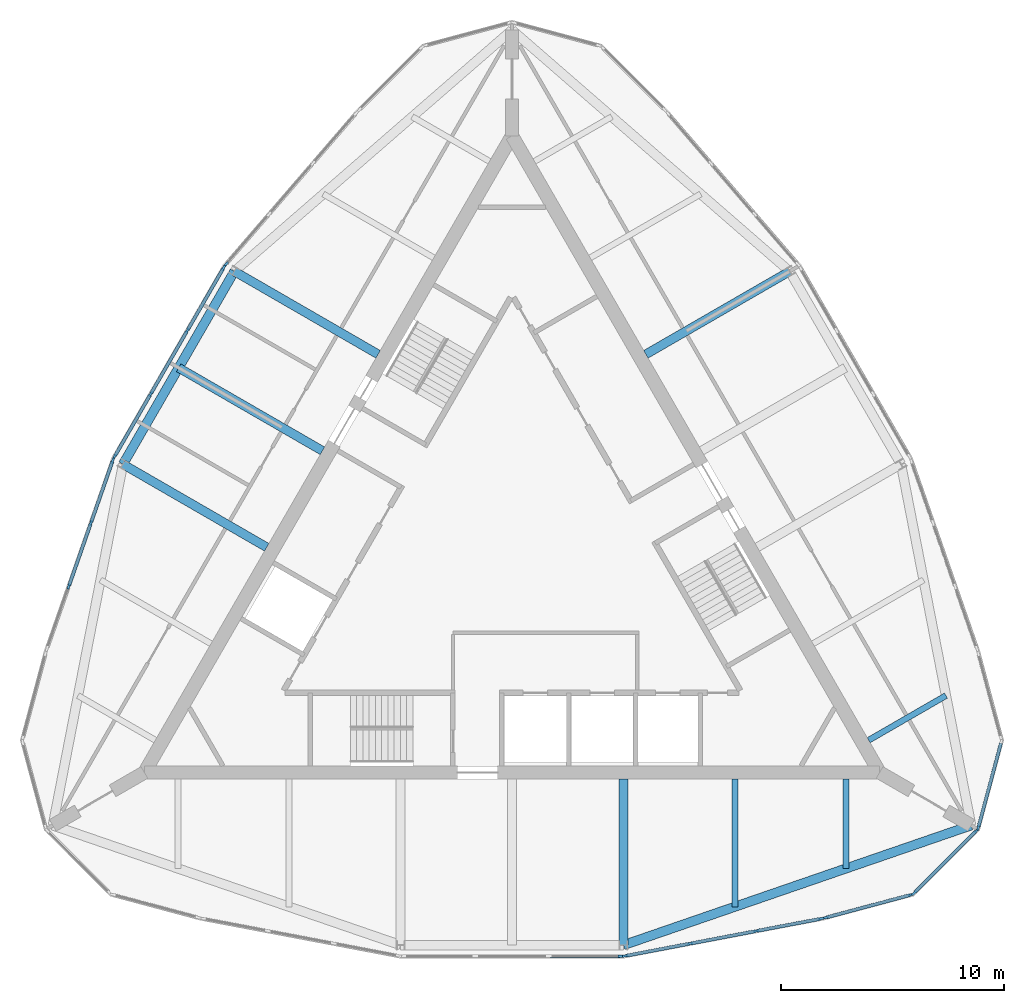
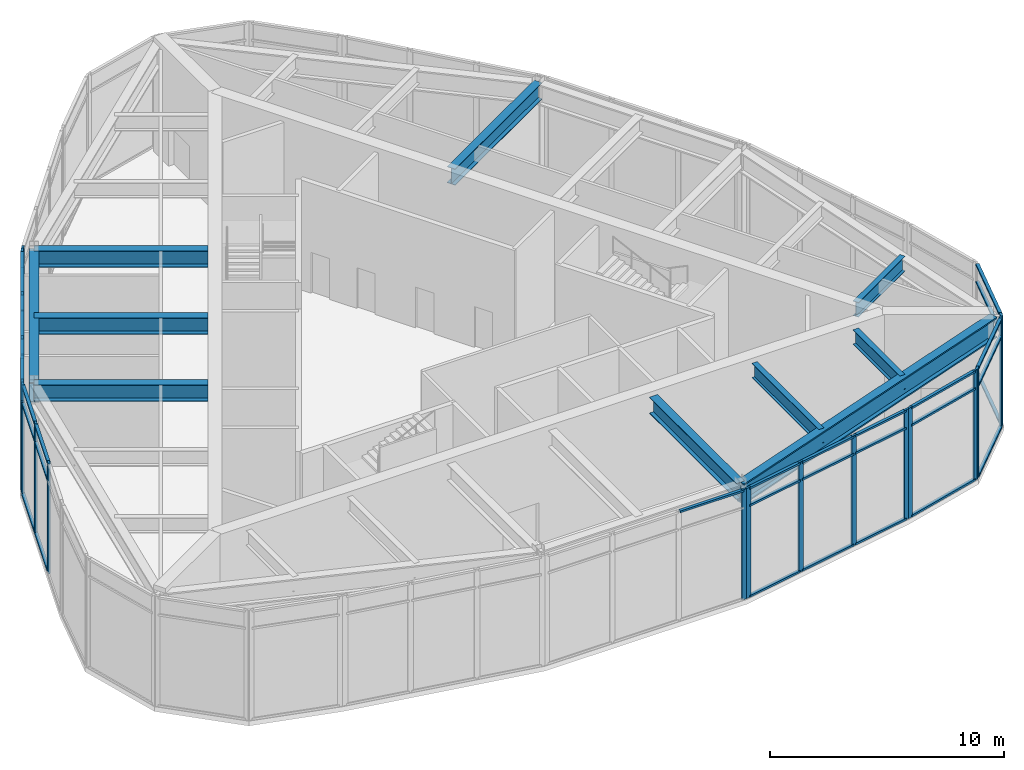
# One storey, part 2 of 9: 52 members, 10 beams, 8 elements without a shape of their own.
"""IFC4 building model written with IfcOpenShell, lengths in metres."""

import ifcopenshell
import ifcopenshell.guid

model = None  # the IFC model being written
_history = None  # IfcOwnerHistory: only IFC2X3 demands one
_inside = {}  # id of a spatial element -> (the spatial element, [elements in it])
_under = {}  # id of a project, library or spatial element -> (it, [spatial elements below it])
_declared = {}  # id of a project -> (the project, [libraries it declares])
_typed = {}  # id of a type object -> (the type object, [elements of that type])
_made_of = {}  # id of a material, layer set ... -> (it, [elements and type objects made of it])


def new_model(schema):
    """Start an empty IFC model of exactly this schema.

    Asked for "IFC4X3", IfcOpenShell would pick the latest addendum, in which some entities
    have other attributes; the version numbers below select the first issue.
    IFC2X3 requires an IfcOwnerHistory on every rooted entity: one is made here for all.
    """
    global model, _history
    if schema == "IFC4X3":
        model = ifcopenshell.file(schema_version=(4, 3, 0, 0))
    else:
        model = ifcopenshell.file(schema=schema)
    _inside.clear()
    _under.clear()
    _declared.clear()
    _typed.clear()
    _made_of.clear()
    _history = None
    if model.schema == "IFC2X3":
        org = make("IfcOrganization", Name="unknown")
        user = make(
            "IfcPersonAndOrganization",
            ThePerson=make("IfcPerson", FamilyName="unknown"),
            TheOrganization=org,
        )
        app = make(
            "IfcApplication",
            ApplicationDeveloper=org,
            Version="unknown",
            ApplicationFullName="unknown",
            ApplicationIdentifier="unknown",
        )
        _history = make(
            "IfcOwnerHistory",
            OwningUser=user,
            OwningApplication=app,
            ChangeAction="ADDED",
            CreationDate=0,
        )
    return model


def make(cls, **values):
    """One entity of the class cls with the attributes given. An attribute that is None is left unset."""
    return model.create_entity(
        cls, **{name: value for name, value in values.items() if value is not None}
    )


def rooted(cls, **values):
    """An entity with a GlobalId (a new one), such as an element, a storey or a relation."""
    return make(cls, GlobalId=ifcopenshell.guid.new(), OwnerHistory=_history, **values)


def si_unit(unit_type, name, prefix=None):
    """IfcSIUnit, for example si_unit("LENGTHUNIT", "METRE", prefix="MILLI")."""
    return make("IfcSIUnit", UnitType=unit_type, Prefix=prefix, Name=name)


def assignment(units):
    """IfcUnitAssignment: the units of a project."""
    return None if units is None else make("IfcUnitAssignment", Units=units)


def point(xyz):
    """IfcCartesianPoint."""
    return None if xyz is None else make("IfcCartesianPoint", Coordinates=xyz)


def direction(xyz):
    """IfcDirection."""
    return None if xyz is None else make("IfcDirection", DirectionRatios=xyz)


def frame(location, z_axis=None, x_axis=None):
    """IfcAxis2Placement3D, a coordinate frame: its origin and axes. An axis left out is left unset."""
    return make(
        "IfcAxis2Placement3D",
        Location=point(location),
        Axis=direction(z_axis),
        RefDirection=direction(x_axis),
    )


def frame_2d(location, x_axis=None):
    """IfcAxis2Placement2D, a coordinate frame in the plane: its origin and x axis."""
    return make(
        "IfcAxis2Placement2D", Location=point(location), RefDirection=direction(x_axis)
    )


def origin():
    """The frame at (0, 0, 0) with its axes left unset."""
    return frame((0.0, 0.0, 0.0))


def origin_2d():
    """The frame at (0, 0) in the plane with its x axis left unset."""
    return frame_2d((0.0, 0.0))


def place(relative_to, where):
    """IfcLocalPlacement: puts the frame where relative to a parent placement (None: the world)."""
    return make(
        "IfcLocalPlacement", PlacementRelTo=relative_to, RelativePlacement=where
    )


def context(
    kind, dimensions, precision=None, world=None, true_north=None, identifier=None
):
    """IfcGeometricRepresentationContext, for example the 3D "Model" context."""
    return make(
        "IfcGeometricRepresentationContext",
        ContextIdentifier=identifier,
        ContextType=kind,
        CoordinateSpaceDimension=dimensions,
        Precision=precision,
        WorldCoordinateSystem=world,
        TrueNorth=true_north,
    )


def subcontext(parent, identifier, kind, view, scale=None):
    """IfcGeometricRepresentationSubContext, for example "Body" below "Model"."""
    return make(
        "IfcGeometricRepresentationSubContext",
        ContextIdentifier=identifier,
        ContextType=kind,
        ParentContext=parent,
        TargetScale=scale,
        TargetView=view,
    )


def project(units=None, contexts=None):
    """IfcProject with its units and contexts."""
    return rooted(
        "IfcProject",
        Name="project",
        RepresentationContexts=contexts,
        UnitsInContext=assignment(units),
    )


def spatial(cls, under=None, at=None, **own):
    """A site, building, storey or space (cls), placed at a placement, below another one or the project."""
    s = rooted(cls, ObjectPlacement=at, **own)
    if under is not None:
        _under.setdefault(under.id(), (under, []))[1].append(s)
    return s


def profile(cls, at=None, kind="AREA", **sizes):
    """A parametric profile (cls). Its sizes go by their IFC names, for example OverallWidth=200.0."""
    return make(cls, ProfileType=kind, Position=at, **sizes)


def rectangle(**sizes):
    """IfcRectangleProfileDef."""
    return profile("IfcRectangleProfileDef", **sizes)


def i_section(**sizes):
    """IfcIShapeProfileDef."""
    return profile("IfcIShapeProfileDef", **sizes)


def extrude(swept, where, along, depth):
    """IfcExtrudedAreaSolid: the profile swept, set in the frame where, extruded along a direction by depth."""
    return make(
        "IfcExtrudedAreaSolid",
        SweptArea=swept,
        Position=where,
        ExtrudedDirection=direction(along),
        Depth=depth,
    )


def shape(context_of_items, identifier, shape_type, items):
    """IfcShapeRepresentation: the items that make up one representation, for example the "Body"."""
    return make(
        "IfcShapeRepresentation",
        ContextOfItems=context_of_items,
        RepresentationIdentifier=identifier,
        RepresentationType=shape_type,
        Items=items,
    )


def material(Name=None, Category=None):
    """IfcMaterial."""
    return make("IfcMaterial", Name=Name, Category=Category)


def material_profile(
    of_material, cross_section, Name=None, Category=None, Priority=None
):
    """IfcMaterialProfile: a cross section and its material."""
    return make(
        "IfcMaterialProfile",
        Name=Name,
        Material=of_material,
        Profile=cross_section,
        Priority=Priority,
        Category=Category,
    )


def profile_set(profiles, Name=None, composite=None):
    """IfcMaterialProfileSet."""
    return make(
        "IfcMaterialProfileSet",
        Name=Name,
        MaterialProfiles=profiles,
        CompositeProfile=composite,
    )


def made_of(thing, what):
    """Note that an element or type object is made of a material, layer set ...; save() writes the relation."""
    if what is not None:
        _made_of.setdefault(what.id(), (what, []))[1].append(thing)
    return thing


def type_object(cls, material=None, **own):
    """A type object (cls), such as IfcWallType, which elements share."""
    return made_of(rooted(cls, **own), material)


def element(
    cls,
    number,
    at=None,
    inside=None,
    cuts=None,
    type_object=None,
    material=None,
    context=None,
    identifier="Body",
    shape_type=None,
    held_by="IfcProductDefinitionShape",
    body=None,
    shapes=None,
    **own,
):
    """One element of the class cls, such as IfcWall. Its Tag is "e" and its number.

    at: its placement. inside: the storey or other place that contains it. cuts: it is an
    opening in that element (IfcRelVoidsElement). A single representation is given by context,
    identifier, shape_type and body (its items); several are given by shapes. held_by: the class
    of the entity that holds the representations. save() writes the other relations.
    """
    e = rooted(cls, Tag="e%d" % number, ObjectPlacement=at, **own)
    if body is not None:
        shapes = [shape(context, identifier, shape_type, body)]
    if shapes is not None:
        e.Representation = make(held_by, Representations=shapes)
    if inside is not None:
        _inside.setdefault(inside.id(), (inside, []))[1].append(e)
    if cuts is not None:
        rooted(
            "IfcRelVoidsElement", RelatingBuildingElement=cuts, RelatedOpeningElement=e
        )
    if type_object is not None:
        _typed.setdefault(type_object.id(), (type_object, []))[1].append(e)
    return made_of(e, material)


def aggregate(whole, parts):
    """IfcRelAggregates: a whole, such as a stair, and the parts it consists of."""
    return rooted("IfcRelAggregates", RelatingObject=whole, RelatedObjects=parts)


def save(model, path):
    """Write the relations noted so far, then the file.

    IfcRelAggregates (storeys below a building ...), IfcRelContainedInSpatialStructure (elements
    in a storey), IfcRelDefinesByType, IfcRelAssociatesMaterial and IfcRelDeclares: one each for
    every whole, place, type object, material and project.
    """
    for whole, parts in _under.values():
        aggregate(whole, parts)
    for where, things in _inside.values():
        rooted(
            "IfcRelContainedInSpatialStructure",
            RelatedElements=things,
            RelatingStructure=where,
        )
    for kind, things in _typed.values():
        rooted("IfcRelDefinesByType", RelatedObjects=things, RelatingType=kind)
    for what, things in _made_of.values():
        rooted("IfcRelAssociatesMaterial", RelatedObjects=things, RelatingMaterial=what)
    for by, libraries in _declared.values():
        rooted("IfcRelDeclares", RelatingContext=by, RelatedDefinitions=libraries)
    model.write(path)


model = new_model("IFC4")

# Units and contexts
model_context = context("Model", 3, precision=1e-05, world=origin(), true_north=direction((0.0, 1.0)))
body_context = subcontext(model_context, "Body", "Model", "MODEL_VIEW")
ifc_project = project(units=[si_unit("LENGTHUNIT", "METRE"), si_unit("AREAUNIT", "SQUARE_METRE"), si_unit("VOLUMEUNIT", "CUBIC_METRE"), si_unit("PLANEANGLEUNIT", "RADIAN"), si_unit("MASSUNIT", "GRAM", prefix="KILO")], contexts=[model_context])

# Site, building, storey
site_placement = place(None, origin())
site = spatial("IfcSite", under=ifc_project, at=site_placement, CompositionType="ELEMENT")
building_placement = place(site_placement, origin())
building = spatial("IfcBuilding", under=site, at=building_placement, Name="Trikona Tower", CompositionType="ELEMENT")
storey_placement = place(building_placement, frame((0.0, 0.0, 286.800048828125)))
storey = spatial("IfcBuildingStorey", under=building, at=storey_placement, Name="L75", CompositionType="ELEMENT", Elevation=286.800048828125)

# Curtain wall, member
ifc_material_1 = material(Name="Aluminium curtain wall system", Category="aluminium")
curtain_wall_type = type_object("IfcCurtainWallType", Name="Curtain wall OB", PredefinedType="NOTDEFINED", material=ifc_material_1)
curtain_wall_1_placement = place(storey_placement, origin())
curtain_wall_1 = element("IfcCurtainWall", 1, at=curtain_wall_1_placement, inside=storey, type_object=curtain_wall_type, Name="Curtain wall OB L75", PredefinedType="NOTDEFINED")
ifc_material_2 = material(Name="Aluminium mullion, pale anodised", Category="aluminium")
ifc_material_profile_1 = material_profile(ifc_material_2, rectangle(XDim=0.10009765625, YDim=0.25, at=origin_2d()), Name="MUL-OB")
ifc_profile_set_1 = profile_set([ifc_material_profile_1], Name="Aluminium mullion, pale anodised")
member_type_1 = type_object("IfcMemberType", Name="Mullion OB 100x250", PredefinedType="MULLION", material=ifc_profile_set_1)
member_1_placement = place(storey_placement, frame((4.889892578125, -17.77587890625, 0.0), z_axis=(0.0, 0.0, 1.0), x_axis=(0.0, 1.0, 0.0)))
member_1 = element("IfcMember", 2, at=member_1_placement, type_object=member_type_1, Name="CW-OB mullion 4", PredefinedType="MULLION", context=body_context, shape_type="SweptSolid", body=[
    extrude(rectangle(XDim=0.10009765625, YDim=0.25, at=origin_2d()), origin(), (0.0, 0.0, 1.0), 5.75),
])

# Curtain wall, members
curtain_wall_2_placement = place(storey_placement, origin())
curtain_wall_2 = element("IfcCurtainWall", 3, at=curtain_wall_2_placement, inside=storey, type_object=curtain_wall_type, Name="Curtain wall OB L75", PredefinedType="NOTDEFINED")
member_2_placement = place(storey_placement, frame((5.08935546875, -17.757080078125, 0.0), z_axis=(0.0, 0.0, 1.0), x_axis=(-0.186660752571, 0.982424431419, 0.0)))
member_2 = element("IfcMember", 4, at=member_2_placement, type_object=member_type_1, Name="CW-OB mullion 1", PredefinedType="MULLION", context=body_context, shape_type="SweptSolid", body=[
    extrude(rectangle(XDim=0.10009765625, YDim=0.25, at=origin_2d()), origin(), (0.0, 0.0, 1.0), 5.75),
])
member_3_placement = place(storey_placement, frame((8.0009765625, -17.203857421875, 0.0), z_axis=(0.0, 0.0, 1.0), x_axis=(-0.186660752571, 0.982424431419, 0.0)))
member_3 = element("IfcMember", 5, at=member_3_placement, type_object=member_type_1, Name="CW-OB mullion 2", PredefinedType="MULLION", context=body_context, shape_type="SweptSolid", body=[
    extrude(rectangle(XDim=0.10009765625, YDim=0.25, at=origin_2d()), origin(), (0.0, 0.0, 1.0), 5.75),
])
member_4_placement = place(storey_placement, frame((10.961669921875, -16.641357421875, 0.0), z_axis=(0.0, 0.0, 1.0), x_axis=(-0.186660752571, 0.982424431419, 0.0)))
member_4 = element("IfcMember", 6, at=member_4_placement, type_object=member_type_1, Name="CW-OB mullion 3", PredefinedType="MULLION", context=body_context, shape_type="SweptSolid", body=[
    extrude(rectangle(XDim=0.10009765625, YDim=0.25, at=origin_2d()), origin(), (0.0, 0.0, 1.0), 5.75),
])
member_5_placement = place(storey_placement, frame((13.873291015625, -16.088134765625, 0.0), z_axis=(0.0, 0.0, 1.0), x_axis=(-0.186660752571, 0.982424431419, 0.0)))
member_5 = element("IfcMember", 7, at=member_5_placement, type_object=member_type_1, Name="CW-OB mullion 4", PredefinedType="MULLION", context=body_context, shape_type="SweptSolid", body=[
    extrude(rectangle(XDim=0.10009765625, YDim=0.25, at=origin_2d()), origin(), (0.0, 0.0, 1.0), 5.75),
])

curtain_wall_3_placement = place(storey_placement, origin())
curtain_wall_3 = element("IfcCurtainWall", 8, at=curtain_wall_3_placement, inside=storey, type_object=curtain_wall_type, Name="Curtain wall OB L75", PredefinedType="NOTDEFINED")
member_6_placement = place(storey_placement, frame((14.080322265625, -16.040771484375, 0.0), z_axis=(0.0, 0.0, 1.0), x_axis=(-0.258827918204, 0.965923448705, 0.0)))
member_6 = element("IfcMember", 9, at=member_6_placement, type_object=member_type_1, Name="CW-OB mullion 1", PredefinedType="MULLION", context=body_context, shape_type="SweptSolid", body=[
    extrude(rectangle(XDim=0.10009765625, YDim=0.25, at=origin_2d()), origin(), (0.0, 0.0, 1.0), 5.75),
])
member_7_placement = place(storey_placement, frame((17.909423828125, -15.0146484375, 0.0), z_axis=(0.0, 0.0, 1.0), x_axis=(-0.258827918204, 0.965923448705, 0.0)))
member_7 = element("IfcMember", 10, at=member_7_placement, type_object=member_type_1, Name="CW-OB mullion 2", PredefinedType="MULLION", context=body_context, shape_type="SweptSolid", body=[
    extrude(rectangle(XDim=0.10009765625, YDim=0.25, at=origin_2d()), origin(), (0.0, 0.0, 1.0), 5.75),
])

curtain_wall_4_placement = place(storey_placement, origin())
curtain_wall_4 = element("IfcCurtainWall", 11, at=curtain_wall_4_placement, inside=storey, type_object=curtain_wall_type, Name="Curtain wall OB L75", PredefinedType="NOTDEFINED")
member_8_placement = place(storey_placement, frame((18.048583984375, -14.934326171875, 0.0), z_axis=(0.0, 0.0, 1.0), x_axis=(-0.707106781187, 0.707106781187, 0.0)))
member_8 = element("IfcMember", 12, at=member_8_placement, type_object=member_type_1, Name="CW-OB mullion 1", PredefinedType="MULLION", context=body_context, shape_type="SweptSolid", body=[
    extrude(rectangle(XDim=0.10009765625, YDim=0.25, at=origin_2d()), origin(), (0.0, 0.0, 1.0), 5.75),
])
member_9_placement = place(storey_placement, frame((20.8515625, -12.13134765625, 0.0), z_axis=(0.0, 0.0, 1.0), x_axis=(-0.707106781187, 0.707106781187, 0.0)))
member_9 = element("IfcMember", 13, at=member_9_placement, type_object=member_type_1, Name="CW-OB mullion 2", PredefinedType="MULLION", context=body_context, shape_type="SweptSolid", body=[
    extrude(rectangle(XDim=0.10009765625, YDim=0.25, at=origin_2d()), origin(), (0.0, 0.0, 1.0), 5.75),
])

# Curtain wall, member
curtain_wall_5_placement = place(storey_placement, origin())
curtain_wall_5 = element("IfcCurtainWall", 14, at=curtain_wall_5_placement, inside=storey, type_object=curtain_wall_type, Name="Curtain wall OB L75", PredefinedType="NOTDEFINED")
member_10_placement = place(storey_placement, frame((20.931884765625, -11.9921875, 0.0), z_axis=(0.0, 0.0, 1.0), x_axis=(-0.965923448705, 0.258827918204, 0.0)))
member_10 = element("IfcMember", 15, at=member_10_placement, type_object=member_type_1, Name="CW-OB mullion 1", PredefinedType="MULLION", context=body_context, shape_type="SweptSolid", body=[
    extrude(rectangle(XDim=0.10009765625, YDim=0.25, at=origin_2d()), origin(), (0.0, 0.0, 1.0), 5.75),
])

curtain_wall_6_placement = place(storey_placement, origin())
curtain_wall_6 = element("IfcCurtainWall", 16, at=curtain_wall_6_placement, inside=storey, type_object=curtain_wall_type, Name="Curtain wall OB L75", PredefinedType="NOTDEFINED")
member_11_placement = place(storey_placement, frame((-12.833251953125, 13.2861328125, 0.0), z_axis=(0.0, 0.0, 1.0), x_axis=(0.757475219973, -0.652863914707, 0.0)))
member_11 = element("IfcMember", 17, at=member_11_placement, type_object=member_type_1, Name="CW-OB mullion 4", PredefinedType="MULLION", context=body_context, shape_type="SweptSolid", body=[
    extrude(rectangle(XDim=0.10009765625, YDim=0.25, at=origin_2d()), origin(), (0.0, 0.0, 1.0), 5.75),
])
aggregate(curtain_wall_6, [member_11])

# Curtain wall, members
curtain_wall_7_placement = place(storey_placement, origin())
curtain_wall_7 = element("IfcCurtainWall", 18, at=curtain_wall_7_placement, inside=storey, type_object=curtain_wall_type, Name="Curtain wall OB L75", PredefinedType="NOTDEFINED")
member_12_placement = place(storey_placement, frame((-12.94921875, 13.122802734375, 0.0), z_axis=(0.0, 0.0, 1.0), x_axis=(0.866022089219, -0.500005740951, 0.0)))
member_12 = element("IfcMember", 19, at=member_12_placement, type_object=member_type_1, Name="CW-OB mullion 1", PredefinedType="MULLION", context=body_context, shape_type="SweptSolid", body=[
    extrude(rectangle(XDim=0.10009765625, YDim=0.25, at=origin_2d()), origin(), (0.0, 0.0, 1.0), 5.75),
])
member_13_placement = place(storey_placement, frame((-14.571044921875, 10.31396484375, 0.0), z_axis=(0.0, 0.0, 1.0), x_axis=(0.866022089219, -0.500005740951, 0.0)))
member_13 = element("IfcMember", 20, at=member_13_placement, type_object=member_type_1, Name="CW-OB mullion 2", PredefinedType="MULLION", context=body_context, shape_type="SweptSolid", body=[
    extrude(rectangle(XDim=0.10009765625, YDim=0.25, at=origin_2d()), origin(), (0.0, 0.0, 1.0), 5.75),
])
member_14_placement = place(storey_placement, frame((-16.217529296875, 7.4619140625, 0.0), z_axis=(0.0, 0.0, 1.0), x_axis=(0.866022089219, -0.500005740951, 0.0)))
member_14 = element("IfcMember", 21, at=member_14_placement, type_object=member_type_1, Name="CW-OB mullion 3", PredefinedType="MULLION", context=body_context, shape_type="SweptSolid", body=[
    extrude(rectangle(XDim=0.10009765625, YDim=0.25, at=origin_2d()), origin(), (0.0, 0.0, 1.0), 5.75),
])
member_15_placement = place(storey_placement, frame((-17.83935546875, 4.653076171875, 0.0), z_axis=(0.0, 0.0, 1.0), x_axis=(0.866022089219, -0.500005740951, 0.0)))
member_15 = element("IfcMember", 22, at=member_15_placement, type_object=member_type_1, Name="CW-OB mullion 4", PredefinedType="MULLION", context=body_context, shape_type="SweptSolid", body=[
    extrude(rectangle(XDim=0.10009765625, YDim=0.25, at=origin_2d()), origin(), (0.0, 0.0, 1.0), 5.75),
])

curtain_wall_8_placement = place(storey_placement, origin())
curtain_wall_8 = element("IfcCurtainWall", 23, at=curtain_wall_8_placement, inside=storey, type_object=curtain_wall_type, Name="Curtain wall OB L75", PredefinedType="NOTDEFINED")
member_16_placement = place(storey_placement, frame((-17.9228515625, 4.470947265625, 0.0), z_axis=(0.0, 0.0, 1.0), x_axis=(0.944137368145, -0.329552165935, 0.0)))
member_16 = element("IfcMember", 24, at=member_16_placement, type_object=member_type_1, Name="CW-OB mullion 1", PredefinedType="MULLION", context=body_context, shape_type="SweptSolid", body=[
    extrude(rectangle(XDim=0.10009765625, YDim=0.25, at=origin_2d()), origin(), (0.0, 0.0, 1.0), 5.75),
])
member_17_placement = place(storey_placement, frame((-18.8994140625, 1.6728515625, 0.0), z_axis=(0.0, 0.0, 1.0), x_axis=(0.944137368145, -0.329552165935, 0.0)))
member_17 = element("IfcMember", 25, at=member_17_placement, type_object=member_type_1, Name="CW-OB mullion 2", PredefinedType="MULLION", context=body_context, shape_type="SweptSolid", body=[
    extrude(rectangle(XDim=0.10009765625, YDim=0.25, at=origin_2d()), origin(), (0.0, 0.0, 1.0), 5.75),
])
member_18_placement = place(storey_placement, frame((-19.892578125, -1.17236328125, 0.0), z_axis=(0.0, 0.0, 1.0), x_axis=(0.944137368145, -0.329552165935, 0.0)))
member_18 = element("IfcMember", 26, at=member_18_placement, type_object=member_type_1, Name="CW-OB mullion 3", PredefinedType="MULLION", context=body_context, shape_type="SweptSolid", body=[
    extrude(rectangle(XDim=0.10009765625, YDim=0.25, at=origin_2d()), origin(), (0.0, 0.0, 1.0), 5.75),
])

# Beams
ifc_material_3 = material(Name="Steel ASTM A992 Grade 50", Category="steel")
ifc_material_profile_2 = material_profile(ifc_material_3, i_section(OverallWidth=0.2666015625, OverallDepth=0.76953125, WebThickness=0.015625, FlangeThickness=0.025390625, at=origin_2d()), Name="W30X132")
ifc_profile_set_2 = profile_set([ifc_material_profile_2], Name="Steel ASTM A992 Grade 50")
beam_type_1 = type_object("IfcBeamType", Name="Steel beam W30x132 (wedge)", PredefinedType="BEAM", material=ifc_profile_set_2)
beam_1_placement = place(storey_placement, frame((10.0, -9.826416015625, 5.365234375), z_axis=(0.0, -1.0, 0.0), x_axis=(1.0, 0.0, 0.0)))
element("IfcBeam", 27, at=beam_1_placement, inside=storey, type_object=beam_type_1, Name="Floor beam L76 F1 u10", PredefinedType="BEAM", context=body_context, shape_type="SweptSolid", body=[
    extrude(i_section(OverallWidth=0.2666015625, OverallDepth=0.76953125, WebThickness=0.015625, FlangeThickness=0.025390625, at=origin_2d()), origin(), (0.0, 0.0, 1.0), 5.727294921875),
])
beam_2_placement = place(storey_placement, frame((15.0, -9.826416015625, 5.365234375), z_axis=(0.0, -1.0, 0.0), x_axis=(1.0, 0.0, 0.0)))
element("IfcBeam", 28, at=beam_2_placement, inside=storey, type_object=beam_type_1, Name="Floor beam L76 F1 u15", PredefinedType="BEAM", context=body_context, shape_type="SweptSolid", body=[
    extrude(i_section(OverallWidth=0.2666015625, OverallDepth=0.76953125, WebThickness=0.015625, FlangeThickness=0.025390625, at=origin_2d()), origin(), (0.0, 0.0, 1.0), 4.005126953125),
])
beam_3_placement = place(storey_placement, frame((16.009765625, -8.077392578125, 5.365234375), z_axis=(0.866025209122, 0.500000337164, 0.0), x_axis=(-0.500000337164, 0.866025209122, 0.0)))
element("IfcBeam", 29, at=beam_3_placement, inside=storey, type_object=beam_type_1, Name="Floor beam L76 F2 u-15", PredefinedType="BEAM", context=body_context, shape_type="SweptSolid", body=[
    extrude(i_section(OverallWidth=0.2666015625, OverallDepth=0.76953125, WebThickness=0.015625, FlangeThickness=0.025390625, at=origin_2d()), origin(), (0.0, 0.0, 1.0), 4.00537109375),
])
ifc_material_4 = material(Name="Steel ASTM A992 Grade 50", Category="steel")
ifc_material_profile_3 = material_profile(ifc_material_4, i_section(OverallWidth=0.398681640625, OverallDepth=0.85595703125, WebThickness=0.01806640625, FlangeThickness=0.029296875, at=origin_2d()), Name="W33X201")
ifc_profile_set_3 = profile_set([ifc_material_profile_3], Name="Steel ASTM A992 Grade 50")
beam_type_2 = type_object("IfcBeamType", Name="Steel beam W33x201 (top)", PredefinedType="BEAM", material=ifc_profile_set_3)
for number, where, z_axis, x_axis, name in (
    (30, (5.0, -9.826416015625, 5.322021484375), (0.0, -1.0, 0.0), (1.0, 0.0, 0.0), "Floor beam L76 F1 u5"),
    (31, (6.009765625, 9.243408203125, 5.322021484375), (0.866032227741, 0.499988180375, 0.0), (-0.499988180375, 0.866032227741, 0.0), "Floor beam L76 F2 u5"),
    (32, (-6.009765625, 9.243408203125, 5.322021484375), (-0.866032227741, 0.499988180375, 0.0), (-0.499988180375, -0.866032227741, 0.0), "Floor beam L76 F3 u-5"),
    (33, (-8.509765625, 4.9130859375, 5.322021484375), (-0.866018036629, 0.50001276007, 0.0), (-0.50001276007, -0.866018036629, 0.0), "Floor beam L76 F3 u0"),
    (34, (-11.009765625, 0.5830078125, 5.322021484375), (-0.866018036629, 0.50001276007, 0.0), (-0.50001276007, -0.866018036629, 0.0), "Floor beam L76 F3 u5"),
):
    element("IfcBeam", number, at=place(storey_placement, frame(where, z_axis=z_axis, x_axis=x_axis)), inside=storey, type_object=beam_type_2, Name=name, PredefinedType="BEAM", context=body_context, shape_type="SweptSolid", body=[
        extrude(i_section(OverallWidth=0.398681640625, OverallDepth=0.85595703125, WebThickness=0.01806640625, FlangeThickness=0.029296875, at=origin_2d()), origin(), (0.0, 0.0, 1.0), 7.449462890625),
    ])
ifc_material_5 = material(Name="Steel ASTM A992 Grade 50", Category="steel")
ifc_material_profile_4 = material_profile(ifc_material_5, i_section(OverallWidth=0.41650390625, OverallDepth=1.0693359375, WebThickness=0.0390625, FlangeThickness=0.070068359375, at=origin_2d()), Name="W40X503")
ifc_profile_set_4 = profile_set([ifc_material_profile_4], Name="Steel ASTM A992 Grade 50")
beam_type_3 = type_object("IfcBeamType", Name="Steel beam W40x503 (crown spandrel)", PredefinedType="SPANDREL", material=ifc_profile_set_4)
beam_4_placement = place(storey_placement, frame((5.0, -17.27587890625, 5.21533203125), z_axis=(0.945492661054, 0.325643406033, 0.0), x_axis=(-0.325643406033, 0.945492661054, 0.0)))
element("IfcBeam", 35, at=beam_4_placement, inside=storey, type_object=beam_type_3, Name="Spandrel beam L76 F1-3", PredefinedType="SPANDREL", context=body_context, shape_type="SweptSolid", body=[
    extrude(i_section(OverallWidth=0.41650390625, OverallDepth=1.0693359375, WebThickness=0.0390625, FlangeThickness=0.070068359375, at=origin_2d()), origin(), (0.0, 0.0, 1.0), 16.51025390625),
])
beam_5_placement = place(storey_placement, frame((-12.461181640625, 12.968017578125, 5.21533203125), z_axis=(-0.500004234368, -0.866022959057, 0.0), x_axis=(0.866022959057, -0.500004234368, 0.0)))
element("IfcBeam", 36, at=beam_5_placement, inside=storey, type_object=beam_type_3, Name="Spandrel beam L76 F3-2", PredefinedType="SPANDREL", context=body_context, shape_type="SweptSolid", body=[
    extrude(i_section(OverallWidth=0.41650390625, OverallDepth=1.0693359375, WebThickness=0.0390625, FlangeThickness=0.070068359375, at=origin_2d()), origin(), (0.0, 0.0, 1.0), 10.0),
])

# Member
ifc_material_6 = material(Name="Aluminium transom, pale anodised", Category="aluminium")
ifc_material_profile_5 = material_profile(ifc_material_6, rectangle(XDim=0.14990234375, YDim=0.10009765625, at=origin_2d()), Name="TRN-OB")
ifc_profile_set_5 = profile_set([ifc_material_profile_5], Name="Aluminium transom, pale anodised")
member_type_2 = type_object("IfcMemberType", Name="Transom OB 100x150", PredefinedType="USERDEFINED", material=ifc_profile_set_5)
member_19_placement = place(storey_placement, frame((1.69677734375, -17.77587890625, 5.699951171875), z_axis=(1.0, 0.0, 0.0), x_axis=(0.0, 1.0, 0.0)))
member_19 = element("IfcMember", 37, at=member_19_placement, type_object=member_type_2, Name="CW-OB transom 3.3", ObjectType="TRANSOM", PredefinedType="USERDEFINED", context=body_context, shape_type="SweptSolid", body=[
    extrude(rectangle(XDim=0.14990234375, YDim=0.10009765625, at=origin_2d()), origin(), (0.0, 0.0, 1.0), 3.143310546875),
])

aggregate(curtain_wall_1, [member_1, member_19])

member_20_placement = place(storey_placement, frame((5.138427734375, -17.747802734375, 0.050048828125), z_axis=(0.982417572475, 0.186696848639, 0.0), x_axis=(-0.186696848639, 0.982417572475, 0.0)))
member_20 = element("IfcMember", 38, at=member_20_placement, type_object=member_type_2, Name="CW-OB transom 1.1", ObjectType="TRANSOM", PredefinedType="USERDEFINED", context=body_context, shape_type="SweptSolid", body=[
    extrude(rectangle(XDim=0.14990234375, YDim=0.10009765625, at=origin_2d()), origin(), (0.0, 0.0, 1.0), 2.86376953125),
])

member_21_placement = place(storey_placement, frame((5.138427734375, -17.747802734375, 4.800048828125), z_axis=(0.982417572475, 0.186696848639, 0.0), x_axis=(-0.186696848639, 0.982417572475, 0.0)))
member_21 = element("IfcMember", 39, at=member_21_placement, type_object=member_type_2, Name="CW-OB transom 1.2", ObjectType="TRANSOM", PredefinedType="USERDEFINED", context=body_context, shape_type="SweptSolid", body=[
    extrude(rectangle(XDim=0.14990234375, YDim=0.10009765625, at=origin_2d()), origin(), (0.0, 0.0, 1.0), 2.86376953125),
])

member_22_placement = place(storey_placement, frame((5.138427734375, -17.747802734375, 5.699951171875), z_axis=(0.982417572475, 0.186696848639, 0.0), x_axis=(-0.186696848639, 0.982417572475, 0.0)))
member_22 = element("IfcMember", 40, at=member_22_placement, type_object=member_type_2, Name="CW-OB transom 1.3", ObjectType="TRANSOM", PredefinedType="USERDEFINED", context=body_context, shape_type="SweptSolid", body=[
    extrude(rectangle(XDim=0.14990234375, YDim=0.10009765625, at=origin_2d()), origin(), (0.0, 0.0, 1.0), 2.86376953125),
])

member_23_placement = place(storey_placement, frame((8.050048828125, -17.194580078125, 0.050048828125), z_axis=(0.982420610208, 0.186680863074, 0.0), x_axis=(-0.186680863074, 0.982420610208, 0.0)))
member_23 = element("IfcMember", 41, at=member_23_placement, type_object=member_type_2, Name="CW-OB transom 2.1", ObjectType="TRANSOM", PredefinedType="USERDEFINED", context=body_context, shape_type="SweptSolid", body=[
    extrude(rectangle(XDim=0.14990234375, YDim=0.10009765625, at=origin_2d()), origin(), (0.0, 0.0, 1.0), 2.913818359375),
])

member_24_placement = place(storey_placement, frame((8.050048828125, -17.194580078125, 4.800048828125), z_axis=(0.982420610208, 0.186680863074, 0.0), x_axis=(-0.186680863074, 0.982420610208, 0.0)))
member_24 = element("IfcMember", 42, at=member_24_placement, type_object=member_type_2, Name="CW-OB transom 2.2", ObjectType="TRANSOM", PredefinedType="USERDEFINED", context=body_context, shape_type="SweptSolid", body=[
    extrude(rectangle(XDim=0.14990234375, YDim=0.10009765625, at=origin_2d()), origin(), (0.0, 0.0, 1.0), 2.913818359375),
])

member_25_placement = place(storey_placement, frame((8.050048828125, -17.194580078125, 5.699951171875), z_axis=(0.982420610208, 0.186680863074, 0.0), x_axis=(-0.186680863074, 0.982420610208, 0.0)))
member_25 = element("IfcMember", 43, at=member_25_placement, type_object=member_type_2, Name="CW-OB transom 2.3", ObjectType="TRANSOM", PredefinedType="USERDEFINED", context=body_context, shape_type="SweptSolid", body=[
    extrude(rectangle(XDim=0.14990234375, YDim=0.10009765625, at=origin_2d()), origin(), (0.0, 0.0, 1.0), 2.913818359375),
])

member_26_placement = place(storey_placement, frame((11.0107421875, -16.632080078125, 0.050048828125), z_axis=(0.982417572475, 0.186696848639, 0.0), x_axis=(-0.186696848639, 0.982417572475, 0.0)))
member_26 = element("IfcMember", 44, at=member_26_placement, type_object=member_type_2, Name="CW-OB transom 3.1", ObjectType="TRANSOM", PredefinedType="USERDEFINED", context=body_context, shape_type="SweptSolid", body=[
    extrude(rectangle(XDim=0.14990234375, YDim=0.10009765625, at=origin_2d()), origin(), (0.0, 0.0, 1.0), 2.86376953125),
])

member_27_placement = place(storey_placement, frame((11.0107421875, -16.632080078125, 4.800048828125), z_axis=(0.982417572475, 0.186696848639, 0.0), x_axis=(-0.186696848639, 0.982417572475, 0.0)))
member_27 = element("IfcMember", 45, at=member_27_placement, type_object=member_type_2, Name="CW-OB transom 3.2", ObjectType="TRANSOM", PredefinedType="USERDEFINED", context=body_context, shape_type="SweptSolid", body=[
    extrude(rectangle(XDim=0.14990234375, YDim=0.10009765625, at=origin_2d()), origin(), (0.0, 0.0, 1.0), 2.86376953125),
])

member_28_placement = place(storey_placement, frame((11.0107421875, -16.632080078125, 5.699951171875), z_axis=(0.982417572475, 0.186696848639, 0.0), x_axis=(-0.186696848639, 0.982417572475, 0.0)))
member_28 = element("IfcMember", 46, at=member_28_placement, type_object=member_type_2, Name="CW-OB transom 3.3", ObjectType="TRANSOM", PredefinedType="USERDEFINED", context=body_context, shape_type="SweptSolid", body=[
    extrude(rectangle(XDim=0.14990234375, YDim=0.10009765625, at=origin_2d()), origin(), (0.0, 0.0, 1.0), 2.86376953125),
])

aggregate(curtain_wall_2, [member_2, member_3, member_4, member_5, member_20, member_21, member_22, member_23, member_24, member_25, member_26, member_27, member_28])

member_29_placement = place(storey_placement, frame((14.128662109375, -16.02783203125, 0.050048828125), z_axis=(0.965916463032, 0.258853986724, 0.0), x_axis=(-0.258853986724, 0.965916463032, 0.0)))
member_29 = element("IfcMember", 47, at=member_29_placement, type_object=member_type_2, Name="CW-OB transom 1.1", ObjectType="TRANSOM", PredefinedType="USERDEFINED", context=body_context, shape_type="SweptSolid", body=[
    extrude(rectangle(XDim=0.14990234375, YDim=0.10009765625, at=origin_2d()), origin(), (0.0, 0.0, 1.0), 3.864013671875),
])

member_30_placement = place(storey_placement, frame((14.128662109375, -16.02783203125, 4.800048828125), z_axis=(0.965916463032, 0.258853986724, 0.0), x_axis=(-0.258853986724, 0.965916463032, 0.0)))
member_30 = element("IfcMember", 48, at=member_30_placement, type_object=member_type_2, Name="CW-OB transom 1.2", ObjectType="TRANSOM", PredefinedType="USERDEFINED", context=body_context, shape_type="SweptSolid", body=[
    extrude(rectangle(XDim=0.14990234375, YDim=0.10009765625, at=origin_2d()), origin(), (0.0, 0.0, 1.0), 3.864013671875),
])

member_31_placement = place(storey_placement, frame((14.128662109375, -16.02783203125, 5.699951171875), z_axis=(0.965916463032, 0.258853986724, 0.0), x_axis=(-0.258853986724, 0.965916463032, 0.0)))
member_31 = element("IfcMember", 49, at=member_31_placement, type_object=member_type_2, Name="CW-OB transom 1.3", ObjectType="TRANSOM", PredefinedType="USERDEFINED", context=body_context, shape_type="SweptSolid", body=[
    extrude(rectangle(XDim=0.14990234375, YDim=0.10009765625, at=origin_2d()), origin(), (0.0, 0.0, 1.0), 3.864013671875),
])

aggregate(curtain_wall_3, [member_6, member_7, member_29, member_30, member_31])

member_32_placement = place(storey_placement, frame((18.083984375, -14.899169921875, 0.050048828125), z_axis=(0.707075189238, 0.707138371723, 0.0), x_axis=(-0.707138371723, 0.707075189238, 0.0)))
member_32 = element("IfcMember", 50, at=member_32_placement, type_object=member_type_2, Name="CW-OB transom 1.1", ObjectType="TRANSOM", PredefinedType="USERDEFINED", context=body_context, shape_type="SweptSolid", body=[
    extrude(rectangle(XDim=0.14990234375, YDim=0.10009765625, at=origin_2d()), origin(), (0.0, 0.0, 1.0), 3.864013671875),
])

member_33_placement = place(storey_placement, frame((18.083984375, -14.899169921875, 4.800048828125), z_axis=(0.707075189238, 0.707138371723, 0.0), x_axis=(-0.707138371723, 0.707075189238, 0.0)))
member_33 = element("IfcMember", 51, at=member_33_placement, type_object=member_type_2, Name="CW-OB transom 1.2", ObjectType="TRANSOM", PredefinedType="USERDEFINED", context=body_context, shape_type="SweptSolid", body=[
    extrude(rectangle(XDim=0.14990234375, YDim=0.10009765625, at=origin_2d()), origin(), (0.0, 0.0, 1.0), 3.864013671875),
])

member_34_placement = place(storey_placement, frame((18.083984375, -14.899169921875, 5.699951171875), z_axis=(0.707075189238, 0.707138371723, 0.0), x_axis=(-0.707138371723, 0.707075189238, 0.0)))
member_34 = element("IfcMember", 52, at=member_34_placement, type_object=member_type_2, Name="CW-OB transom 1.3", ObjectType="TRANSOM", PredefinedType="USERDEFINED", context=body_context, shape_type="SweptSolid", body=[
    extrude(rectangle(XDim=0.14990234375, YDim=0.10009765625, at=origin_2d()), origin(), (0.0, 0.0, 1.0), 3.864013671875),
])

aggregate(curtain_wall_4, [member_8, member_9, member_32, member_33, member_34])

member_35_placement = place(storey_placement, frame((20.94482421875, -11.944091796875, 0.050048828125), z_axis=(0.25879503742, 0.965932258808, 0.0), x_axis=(-0.965932258808, 0.25879503742, 0.0)))
member_35 = element("IfcMember", 53, at=member_35_placement, type_object=member_type_2, Name="CW-OB transom 1.1", ObjectType="TRANSOM", PredefinedType="USERDEFINED", context=body_context, shape_type="SweptSolid", body=[
    extrude(rectangle(XDim=0.14990234375, YDim=0.10009765625, at=origin_2d()), origin(), (0.0, 0.0, 1.0), 3.864013671875),
])

member_36_placement = place(storey_placement, frame((20.94482421875, -11.944091796875, 4.800048828125), z_axis=(0.25879503742, 0.965932258808, 0.0), x_axis=(-0.965932258808, 0.25879503742, 0.0)))
member_36 = element("IfcMember", 54, at=member_36_placement, type_object=member_type_2, Name="CW-OB transom 1.2", ObjectType="TRANSOM", PredefinedType="USERDEFINED", context=body_context, shape_type="SweptSolid", body=[
    extrude(rectangle(XDim=0.14990234375, YDim=0.10009765625, at=origin_2d()), origin(), (0.0, 0.0, 1.0), 3.864013671875),
])

member_37_placement = place(storey_placement, frame((20.94482421875, -11.944091796875, 5.699951171875), z_axis=(0.25879503742, 0.965932258808, 0.0), x_axis=(-0.965932258808, 0.25879503742, 0.0)))
member_37 = element("IfcMember", 55, at=member_37_placement, type_object=member_type_2, Name="CW-OB transom 1.3", ObjectType="TRANSOM", PredefinedType="USERDEFINED", context=body_context, shape_type="SweptSolid", body=[
    extrude(rectangle(XDim=0.14990234375, YDim=0.10009765625, at=origin_2d()), origin(), (0.0, 0.0, 1.0), 3.864013671875),
])

aggregate(curtain_wall_5, [member_10, member_35, member_36, member_37])

member_38_placement = place(storey_placement, frame((-12.974365234375, 13.079345703125, 0.050048828125), z_axis=(-0.499973465047, -0.866040723205, 0.0), x_axis=(0.866040723205, -0.499973465047, 0.0)))
member_38 = element("IfcMember", 56, at=member_38_placement, type_object=member_type_2, Name="CW-OB transom 1.1", ObjectType="TRANSOM", PredefinedType="USERDEFINED", context=body_context, shape_type="SweptSolid", body=[
    extrude(rectangle(XDim=0.14990234375, YDim=0.10009765625, at=origin_2d()), origin(), (0.0, 0.0, 1.0), 3.143310546875),
])

member_39_placement = place(storey_placement, frame((-12.974365234375, 13.079345703125, 4.800048828125), z_axis=(-0.499973465047, -0.866040723205, 0.0), x_axis=(0.866040723205, -0.499973465047, 0.0)))
member_39 = element("IfcMember", 57, at=member_39_placement, type_object=member_type_2, Name="CW-OB transom 1.2", ObjectType="TRANSOM", PredefinedType="USERDEFINED", context=body_context, shape_type="SweptSolid", body=[
    extrude(rectangle(XDim=0.14990234375, YDim=0.10009765625, at=origin_2d()), origin(), (0.0, 0.0, 1.0), 3.143310546875),
])

member_40_placement = place(storey_placement, frame((-12.974365234375, 13.079345703125, 5.699951171875), z_axis=(-0.499973465047, -0.866040723205, 0.0), x_axis=(0.866040723205, -0.499973465047, 0.0)))
member_40 = element("IfcMember", 58, at=member_40_placement, type_object=member_type_2, Name="CW-OB transom 1.3", ObjectType="TRANSOM", PredefinedType="USERDEFINED", context=body_context, shape_type="SweptSolid", body=[
    extrude(rectangle(XDim=0.14990234375, YDim=0.10009765625, at=origin_2d()), origin(), (0.0, 0.0, 1.0), 3.143310546875),
])

member_41_placement = place(storey_placement, frame((-14.595947265625, 10.270751953125, 0.050048828125), z_axis=(-0.499987164874, -0.866032814021, 0.0), x_axis=(0.866032814021, -0.499987164874, 0.0)))
member_41 = element("IfcMember", 59, at=member_41_placement, type_object=member_type_2, Name="CW-OB transom 2.1", ObjectType="TRANSOM", PredefinedType="USERDEFINED", context=body_context, shape_type="SweptSolid", body=[
    extrude(rectangle(XDim=0.14990234375, YDim=0.10009765625, at=origin_2d()), origin(), (0.0, 0.0, 1.0), 3.193359375),
])

member_42_placement = place(storey_placement, frame((-14.595947265625, 10.270751953125, 4.800048828125), z_axis=(-0.499987164874, -0.866032814021, 0.0), x_axis=(0.866032814021, -0.499987164874, 0.0)))
member_42 = element("IfcMember", 60, at=member_42_placement, type_object=member_type_2, Name="CW-OB transom 2.2", ObjectType="TRANSOM", PredefinedType="USERDEFINED", context=body_context, shape_type="SweptSolid", body=[
    extrude(rectangle(XDim=0.14990234375, YDim=0.10009765625, at=origin_2d()), origin(), (0.0, 0.0, 1.0), 3.193359375),
])

member_43_placement = place(storey_placement, frame((-14.595947265625, 10.270751953125, 5.699951171875), z_axis=(-0.499987164874, -0.866032814021, 0.0), x_axis=(0.866032814021, -0.499987164874, 0.0)))
member_43 = element("IfcMember", 61, at=member_43_placement, type_object=member_type_2, Name="CW-OB transom 2.3", ObjectType="TRANSOM", PredefinedType="USERDEFINED", context=body_context, shape_type="SweptSolid", body=[
    extrude(rectangle(XDim=0.14990234375, YDim=0.10009765625, at=origin_2d()), origin(), (0.0, 0.0, 1.0), 3.193359375),
])

member_44_placement = place(storey_placement, frame((-16.24267578125, 7.41845703125, 0.050048828125), z_axis=(-0.499973465047, -0.866040723205, 0.0), x_axis=(0.866040723205, -0.499973465047, 0.0)))
member_44 = element("IfcMember", 62, at=member_44_placement, type_object=member_type_2, Name="CW-OB transom 3.1", ObjectType="TRANSOM", PredefinedType="USERDEFINED", context=body_context, shape_type="SweptSolid", body=[
    extrude(rectangle(XDim=0.14990234375, YDim=0.10009765625, at=origin_2d()), origin(), (0.0, 0.0, 1.0), 3.143310546875),
])

member_45_placement = place(storey_placement, frame((-16.24267578125, 7.41845703125, 4.800048828125), z_axis=(-0.499973465047, -0.866040723205, 0.0), x_axis=(0.866040723205, -0.499973465047, 0.0)))
member_45 = element("IfcMember", 63, at=member_45_placement, type_object=member_type_2, Name="CW-OB transom 3.2", ObjectType="TRANSOM", PredefinedType="USERDEFINED", context=body_context, shape_type="SweptSolid", body=[
    extrude(rectangle(XDim=0.14990234375, YDim=0.10009765625, at=origin_2d()), origin(), (0.0, 0.0, 1.0), 3.143310546875),
])

member_46_placement = place(storey_placement, frame((-16.24267578125, 7.41845703125, 5.699951171875), z_axis=(-0.499973465047, -0.866040723205, 0.0), x_axis=(0.866040723205, -0.499973465047, 0.0)))
member_46 = element("IfcMember", 64, at=member_46_placement, type_object=member_type_2, Name="CW-OB transom 3.3", ObjectType="TRANSOM", PredefinedType="USERDEFINED", context=body_context, shape_type="SweptSolid", body=[
    extrude(rectangle(XDim=0.14990234375, YDim=0.10009765625, at=origin_2d()), origin(), (0.0, 0.0, 1.0), 3.143310546875),
])

aggregate(curtain_wall_7, [member_12, member_13, member_14, member_15, member_38, member_39, member_40, member_41, member_42, member_43, member_44, member_45, member_46])

member_47_placement = place(storey_placement, frame((-17.939208984375, 4.423828125, 0.050048828125), z_axis=(-0.329571871193, -0.944130489773, 0.0), x_axis=(0.944130489773, -0.329571871193, 0.0)))
member_47 = element("IfcMember", 65, at=member_47_placement, type_object=member_type_2, Name="CW-OB transom 1.1", ObjectType="TRANSOM", PredefinedType="USERDEFINED", context=body_context, shape_type="SweptSolid", body=[
    extrude(rectangle(XDim=0.14990234375, YDim=0.10009765625, at=origin_2d()), origin(), (0.0, 0.0, 1.0), 2.86376953125),
])

member_48_placement = place(storey_placement, frame((-17.939208984375, 4.423828125, 4.800048828125), z_axis=(-0.329571871193, -0.944130489773, 0.0), x_axis=(0.944130489773, -0.329571871193, 0.0)))
member_48 = element("IfcMember", 66, at=member_48_placement, type_object=member_type_2, Name="CW-OB transom 1.2", ObjectType="TRANSOM", PredefinedType="USERDEFINED", context=body_context, shape_type="SweptSolid", body=[
    extrude(rectangle(XDim=0.14990234375, YDim=0.10009765625, at=origin_2d()), origin(), (0.0, 0.0, 1.0), 2.86376953125),
])

member_49_placement = place(storey_placement, frame((-17.939208984375, 4.423828125, 5.699951171875), z_axis=(-0.329571871193, -0.944130489773, 0.0), x_axis=(0.944130489773, -0.329571871193, 0.0)))
member_49 = element("IfcMember", 67, at=member_49_placement, type_object=member_type_2, Name="CW-OB transom 1.3", ObjectType="TRANSOM", PredefinedType="USERDEFINED", context=body_context, shape_type="SweptSolid", body=[
    extrude(rectangle(XDim=0.14990234375, YDim=0.10009765625, at=origin_2d()), origin(), (0.0, 0.0, 1.0), 2.86376953125),
])

member_50_placement = place(storey_placement, frame((-18.916015625, 1.625732421875, 0.050048828125), z_axis=(-0.329544133465, -0.944140171849, 0.0), x_axis=(0.944140171849, -0.329544133465, 0.0)))
member_50 = element("IfcMember", 68, at=member_50_placement, type_object=member_type_2, Name="CW-OB transom 2.1", ObjectType="TRANSOM", PredefinedType="USERDEFINED", context=body_context, shape_type="SweptSolid", body=[
    extrude(rectangle(XDim=0.14990234375, YDim=0.10009765625, at=origin_2d()), origin(), (0.0, 0.0, 1.0), 2.913818359375),
])

member_51_placement = place(storey_placement, frame((-18.916015625, 1.625732421875, 4.800048828125), z_axis=(-0.329544133465, -0.944140171849, 0.0), x_axis=(0.944140171849, -0.329544133465, 0.0)))
member_51 = element("IfcMember", 69, at=member_51_placement, type_object=member_type_2, Name="CW-OB transom 2.2", ObjectType="TRANSOM", PredefinedType="USERDEFINED", context=body_context, shape_type="SweptSolid", body=[
    extrude(rectangle(XDim=0.14990234375, YDim=0.10009765625, at=origin_2d()), origin(), (0.0, 0.0, 1.0), 2.913818359375),
])

member_52_placement = place(storey_placement, frame((-18.916015625, 1.625732421875, 5.699951171875), z_axis=(-0.329544133465, -0.944140171849, 0.0), x_axis=(0.944140171849, -0.329544133465, 0.0)))
member_52 = element("IfcMember", 70, at=member_52_placement, type_object=member_type_2, Name="CW-OB transom 2.3", ObjectType="TRANSOM", PredefinedType="USERDEFINED", context=body_context, shape_type="SweptSolid", body=[
    extrude(rectangle(XDim=0.14990234375, YDim=0.10009765625, at=origin_2d()), origin(), (0.0, 0.0, 1.0), 2.913818359375),
])

aggregate(curtain_wall_8, [member_16, member_17, member_18, member_47, member_48, member_49, member_50, member_51, member_52])

save(model, "model.ifc")
